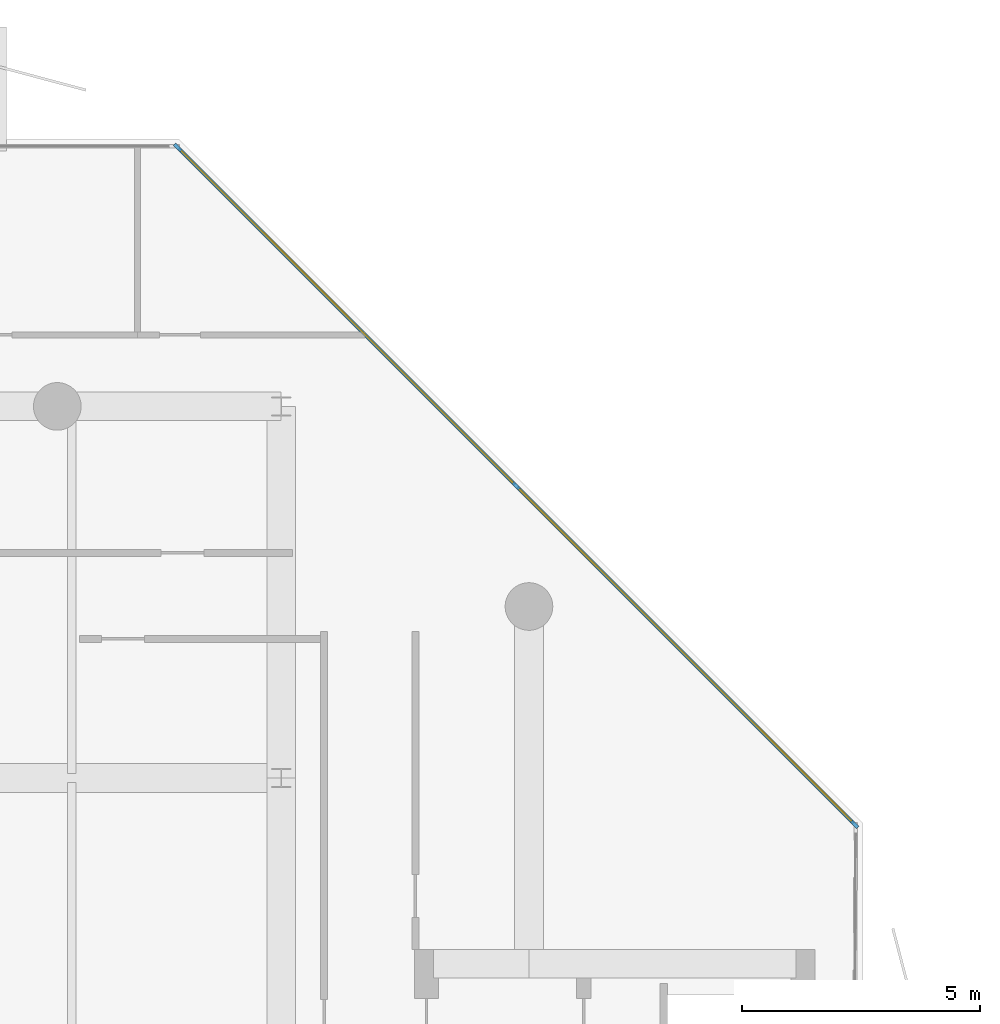
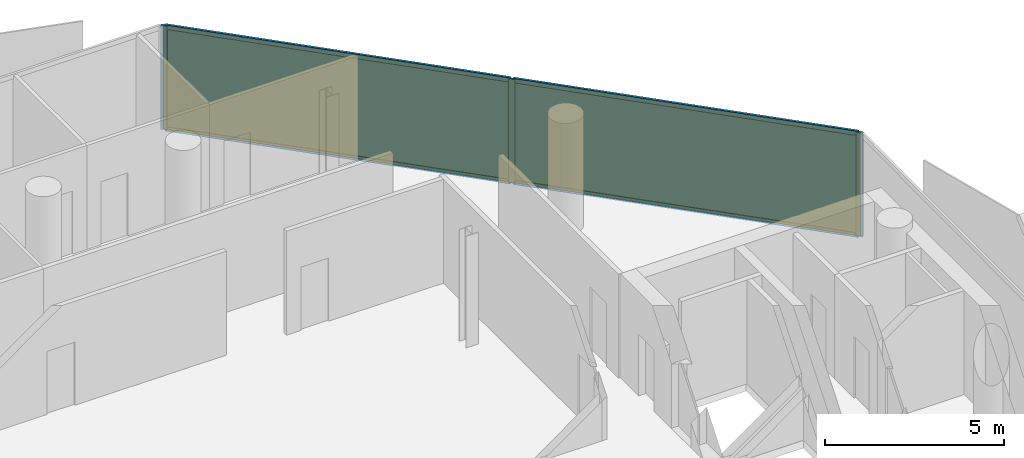
# One storey, part 13 of 17: 7 members, 2 plates, 1 curtain wall.
"""IFC4 building model written with IfcOpenShell, lengths in metres."""

from ifc_helpers import new_model, si_unit, direction, frame, frame_2d, origin, origin_2d, place, context, subcontext, project, spatial, rectangle, extrude, material, layer, layer_set, material_profile, profile_set, type_object, element, aggregate, save


model = new_model("IFC4")

# Units and contexts
model_context = context("Model", 3, precision=1e-05, world=origin(), true_north=direction((0.0, 1.0)))
body_context = subcontext(model_context, "Body", "Model", "MODEL_VIEW")
ifc_project = project(units=[si_unit("LENGTHUNIT", "METRE"), si_unit("AREAUNIT", "SQUARE_METRE"), si_unit("VOLUMEUNIT", "CUBIC_METRE"), si_unit("PLANEANGLEUNIT", "RADIAN"), si_unit("MASSUNIT", "GRAM", prefix="KILO")], contexts=[model_context])

# Member
ifc_material_1 = material(Name="Anodised Bronze Aluminium 6063-T6", Category="aluminium")
ifc_material_profile_1 = material_profile(ifc_material_1, rectangle(XDim=0.070068359375, YDim=0.18994140625, at=origin_2d()))
ifc_profile_set_1 = profile_set([ifc_material_profile_1], Name="Anodised Bronze Aluminium 6063-T6")
member_type_1 = type_object("IfcMemberType", Name="CW-SLC Mullion 70x190", PredefinedType="MULLION", material=ifc_profile_set_1)
site_placement = place(None, origin())
building_placement = place(site_placement, origin())
storey_placement = place(building_placement, frame((0.0, 0.0, 304.199951171875)))
member_1_placement = place(storey_placement, frame((7.02685546875, 24.03515625, 0.0), z_axis=(0.0, 0.0, 1.0), x_axis=(0.707106781187, 0.707106781187, 0.0)))
member_1 = element("IfcMember", 1, at=member_1_placement, type_object=member_type_1, Name="CW-SLC mullion 1", PredefinedType="MULLION", context=body_context, shape_type="SweptSolid", body=[
    extrude(rectangle(XDim=0.070068359375, YDim=0.18994140625, at=origin_2d()), origin(), (0.0, 0.0, 1.0), 3.5400390625),
])

member_2_placement = place(storey_placement, frame((14.131103515625, 16.930908203125, 0.0), z_axis=(0.0, 0.0, 1.0), x_axis=(0.707106781187, 0.707106781187, 0.0)))
member_2 = element("IfcMember", 2, at=member_2_placement, type_object=member_type_1, Name="CW-SLC mullion 2", PredefinedType="MULLION", context=body_context, shape_type="SweptSolid", body=[
    extrude(rectangle(XDim=0.070068359375, YDim=0.18994140625, at=origin_2d()), origin(), (0.0, 0.0, 1.0), 3.5400390625),
])

member_3_placement = place(storey_placement, frame((21.2353515625, 9.82666015625, 0.0), z_axis=(0.0, 0.0, 1.0), x_axis=(0.707106781187, 0.707106781187, 0.0)))
member_3 = element("IfcMember", 3, at=member_3_placement, type_object=member_type_1, Name="CW-SLC mullion 3", PredefinedType="MULLION", context=body_context, shape_type="SweptSolid", body=[
    extrude(rectangle(XDim=0.070068359375, YDim=0.18994140625, at=origin_2d()), origin(), (0.0, 0.0, 1.0), 3.5400390625),
])

ifc_material_2 = material(Name="Anodised Bronze Aluminium 6063-T6", Category="aluminium")
ifc_material_profile_2 = material_profile(ifc_material_2, rectangle(XDim=0.070068359375, YDim=0.14990234375, at=origin_2d()))
ifc_profile_set_2 = profile_set([ifc_material_profile_2], Name="Anodised Bronze Aluminium 6063-T6")
member_type_2 = type_object("IfcMemberType", Name="CW-SLC Transom 70x150", PredefinedType="USERDEFINED", material=ifc_profile_set_2)
member_4_placement = place(storey_placement, frame((7.051513671875, 24.010498046875, 0.03515625), z_axis=(0.707106781187, -0.707106781187, 0.0), x_axis=(0.707106781187, 0.707106781187, 0.0)))
member_4 = element("IfcMember", 4, at=member_4_placement, type_object=member_type_2, Name="CW-SLC transom 1.1", ObjectType="TRANSOM", PredefinedType="USERDEFINED", context=body_context, shape_type="SweptSolid", body=[
    extrude(rectangle(XDim=0.070068359375, YDim=0.14990234375, at=origin_2d()), origin(), (0.0, 0.0, 1.0), 9.976806640625),
])

member_5_placement = place(storey_placement, frame((7.051513671875, 24.010498046875, 3.505126953125), z_axis=(0.707106781187, -0.707106781187, 0.0), x_axis=(0.707106781187, 0.707106781187, 0.0)))
member_5 = element("IfcMember", 5, at=member_5_placement, type_object=member_type_2, Name="CW-SLC transom 1.2", ObjectType="TRANSOM", PredefinedType="USERDEFINED", context=body_context, shape_type="SweptSolid", body=[
    extrude(rectangle(XDim=0.070068359375, YDim=0.14990234375, at=origin_2d()), origin(), (0.0, 0.0, 1.0), 9.976806640625),
])

member_6_placement = place(storey_placement, frame((14.15576171875, 16.90625, 0.03515625), z_axis=(0.707106781187, -0.707106781187, 0.0), x_axis=(0.707106781187, 0.707106781187, 0.0)))
member_6 = element("IfcMember", 6, at=member_6_placement, type_object=member_type_2, Name="CW-SLC transom 2.1", ObjectType="TRANSOM", PredefinedType="USERDEFINED", context=body_context, shape_type="SweptSolid", body=[
    extrude(rectangle(XDim=0.070068359375, YDim=0.14990234375, at=origin_2d()), origin(), (0.0, 0.0, 1.0), 9.976806640625),
])

member_7_placement = place(storey_placement, frame((14.15576171875, 16.90625, 3.505126953125), z_axis=(0.707106781187, -0.707106781187, 0.0), x_axis=(0.707106781187, 0.707106781187, 0.0)))
member_7 = element("IfcMember", 7, at=member_7_placement, type_object=member_type_2, Name="CW-SLC transom 2.2", ObjectType="TRANSOM", PredefinedType="USERDEFINED", context=body_context, shape_type="SweptSolid", body=[
    extrude(rectangle(XDim=0.070068359375, YDim=0.14990234375, at=origin_2d()), origin(), (0.0, 0.0, 1.0), 9.976806640625),
])

# Plate
ifc_material_3 = material(Name="Low-E Solar Control Laminated Glass", Category="glass")
ifc_layer_1 = layer(ifc_material_3, 0.033935546875, Name="Low-E Solar Control Laminated Glass")
ifc_layer_set_1 = layer_set([ifc_layer_1], Name="Low-E Solar Control Laminated Glass")
plate_type = type_object("IfcPlateType", Name="CW-SLC Low-E Double Glazed Panel 34mm", PredefinedType="CURTAIN_PANEL", material=ifc_layer_set_1)
plate_1_placement = place(storey_placement, frame((10.578857421875, 20.483154296875, 0.070068359375), z_axis=(0.0, 0.0, 1.0), x_axis=(0.707106781187, -0.707106781187, 0.0)))
plate_1 = element("IfcPlate", 8, at=plate_1_placement, type_object=plate_type, Name="CW-SLC panel 1.1", PredefinedType="CURTAIN_PANEL", context=body_context, shape_type="SweptSolid", body=[
    extrude(rectangle(XDim=9.976806640625, YDim=0.033935546875, at=origin_2d()), origin(), (0.0, 0.0, 1.0), 3.39990234375),
])

plate_2_placement = place(storey_placement, frame((17.68310546875, 13.37890625, 0.070068359375), z_axis=(0.0, 0.0, 1.0), x_axis=(0.707106781187, -0.707106781187, 0.0)))
plate_2 = element("IfcPlate", 9, at=plate_2_placement, type_object=plate_type, Name="CW-SLC panel 2.1", PredefinedType="CURTAIN_PANEL", context=body_context, shape_type="SweptSolid", body=[
    extrude(rectangle(XDim=9.976806640625, YDim=0.033935546875, at=origin_2d()), origin(), (0.0, 0.0, 1.0), 3.39990234375),
])

# Site, building, storey
site = spatial("IfcSite", under=ifc_project, at=site_placement, CompositionType="ELEMENT")
building = spatial("IfcBuilding", under=site, at=building_placement, Name="Khairoan Windgate Tower", CompositionType="ELEMENT")
storey = spatial("IfcBuildingStorey", under=building, at=storey_placement, Name="L73", CompositionType="ELEMENT", Elevation=304.199951171875)

# Curtain wall
ifc_material_4 = material(Name="Anodised Bronze Aluminium 6063-T6", Category="aluminium")
ifc_layer_2 = layer(ifc_material_4, 0.18994140625, Name="Anodised Bronze Aluminium 6063-T6")
ifc_layer_set_2 = layer_set([ifc_layer_2], Name="Anodised Bronze Aluminium 6063-T6")
curtain_wall_type = type_object("IfcCurtainWallType", Name="Diagonal Corner-Slice Facet Curtain Wall CW-SLC", PredefinedType="NOTDEFINED", material=ifc_layer_set_2)
curtain_wall_placement = place(storey_placement, frame((7.001953125, 24.06005859375, 0.0), z_axis=(0.0, 0.0, 1.0), x_axis=(0.707106781187, -0.707106781187, 0.0)))
curtain_wall = element("IfcCurtainWall", 10, at=curtain_wall_placement, inside=storey, type_object=curtain_wall_type, Name="L73 Crystal Slice Curtain Wall 8", PredefinedType="NOTDEFINED", context=body_context, shape_type="SweptSolid", body=[
    extrude(rectangle(XDim=20.163818359375, YDim=0.010009765625, at=frame_2d((10.08203125, 0.0))), origin(), (0.0, 0.0, 1.0), 3.5400390625),
])

aggregate(curtain_wall, [member_1, member_2, member_3, member_4, member_5, plate_1, member_6, member_7, plate_2])

save(model, "model.ifc")
